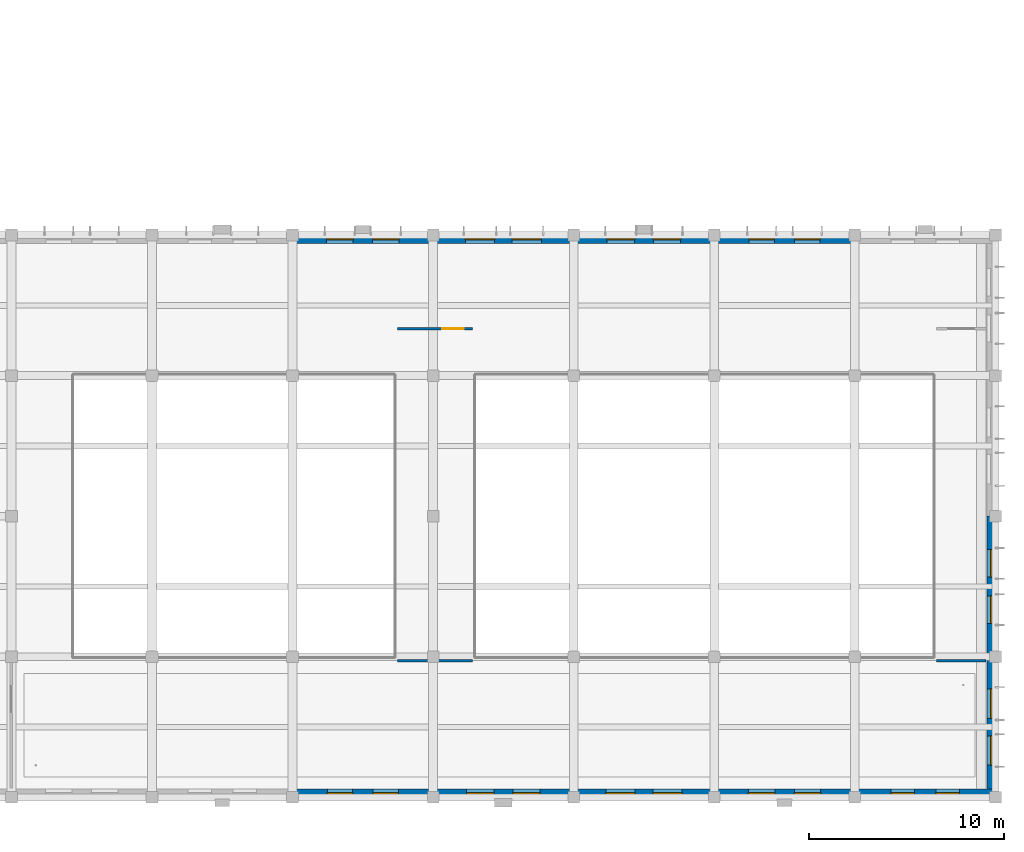
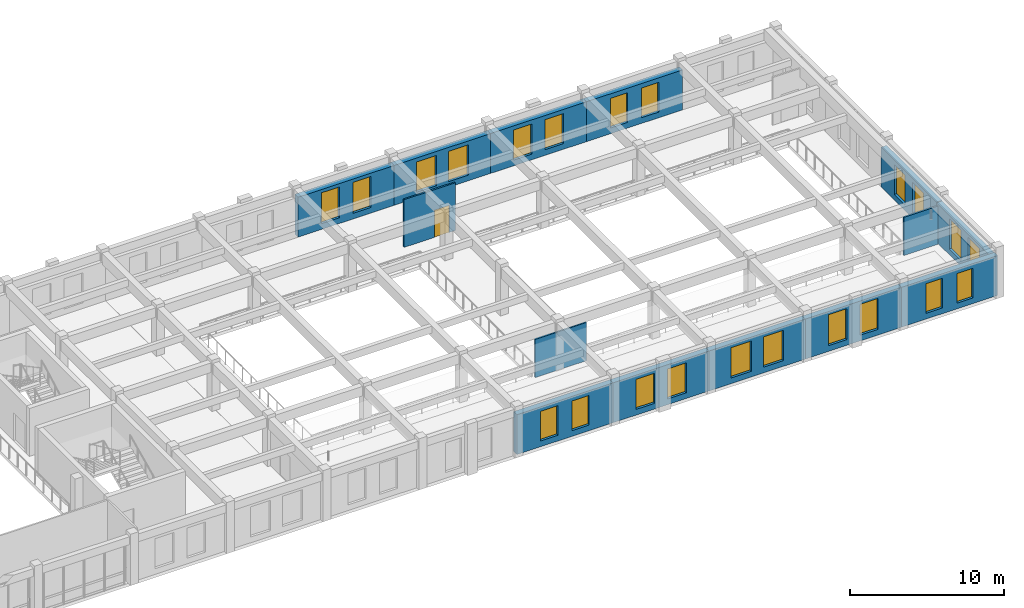
# One storey, part 48 of 88: 22 windows, 14 walls, 1 door, 23 openings.
"""IFC4 building model written with IfcOpenShell, lengths in metres."""

from ifc_helpers import new_model, si_unit, direction, frame, frame_2d, origin, place, context, subcontext, project, spatial, rectangle, extrude, material, layer, layer_set, type_object, element, fill, save


model = new_model("IFC4")

# Units and contexts
model_context = context("Model", 3, precision=1e-05, world=origin(), true_north=direction((0.0, 1.0)))
body_context = subcontext(model_context, "Body", "Model", "MODEL_VIEW")
ifc_project = project(units=[si_unit("LENGTHUNIT", "METRE"), si_unit("AREAUNIT", "SQUARE_METRE"), si_unit("VOLUMEUNIT", "CUBIC_METRE"), si_unit("PLANEANGLEUNIT", "RADIAN"), si_unit("MASSUNIT", "GRAM", prefix="KILO")], contexts=[model_context])

# Site, building, storey
site_placement = place(None, origin())
site = spatial("IfcSite", under=ifc_project, at=site_placement, CompositionType="ELEMENT")
building_placement = place(site_placement, origin())
building = spatial("IfcBuilding", under=site, at=building_placement, Name="Alvorim Cloister Faculty of Sciences", CompositionType="ELEMENT")
storey_placement = place(building_placement, frame((0.0, 0.0, 4.5)))
storey = spatial("IfcBuildingStorey", under=building, at=storey_placement, Name="L01", CompositionType="ELEMENT", Elevation=4.5)

# Wall, openings, windows
ifc_material_1 = material(Name="Maua Grey Granite Stone", Category="masonry")
ifc_layer_1 = layer(ifc_material_1, 0.419921875)
ifc_layer_set_1 = layer_set([ifc_layer_1], Name="Maua Grey Granite Stone")
wall_type_1 = type_object("IfcWallType", Name="WL-EXT-GRN-420", PredefinedType="SOLIDWALL", material=ifc_layer_set_1)
wall_1_placement = place(storey_placement, frame((129.60009765625, 28.590087890625, 0.0), z_axis=(0.0, 0.0, 1.0), x_axis=(1.0, 0.0, 0.0)))
wall_1 = element("IfcWall", 1, at=wall_1_placement, inside=storey, type_object=wall_type_1, Name="L01 Exterior Wall WL-0134", PredefinedType="SOLIDWALL", context=body_context, shape_type="SweptSolid", body=[
    extrude(rectangle(XDim=7.199951171875, YDim=0.419921875, at=frame_2d((3.60009765625, 0.0))), origin(), (0.0, 0.0, 1.0), 3.159912109375),
])
opening_1_placement = place(wall_1_placement, frame((1.75, 0.0, 0.449951171875)))
opening_1 = element("IfcOpeningElement", 2, at=opening_1_placement, cuts=wall_1, Name="Opening W-18", PredefinedType="OPENING", context=body_context, shape_type="SweptSolid", body=[
    extrude(rectangle(XDim=1.35009765625, YDim=2.449951171875, at=frame_2d((0.675048828125, 1.22509765625))), frame((0.0, 0.221923828125, 0.0), z_axis=(0.0, -1.0, 0.0), x_axis=(1.0, 0.0, 0.0)), (0.0, 0.0, 1.0), 0.44384765625),
])
opening_2_placement = place(wall_1_placement, frame((4.10009765625, 0.0, 0.449951171875)))
opening_2 = element("IfcOpeningElement", 3, at=opening_2_placement, cuts=wall_1, Name="Opening W-18", PredefinedType="OPENING", context=body_context, shape_type="SweptSolid", body=[
    extrude(rectangle(XDim=1.35009765625, YDim=2.449951171875, at=frame_2d((0.675048828125, 1.22509765625))), frame((0.0, 0.221923828125, 0.0), z_axis=(0.0, -1.0, 0.0), x_axis=(1.0, 0.0, 0.0)), (0.0, 0.0, 1.0), 0.44384765625),
])
ifc_material_2 = material(Name="Double Low-E Laminated Glass", Category="glass")
window_type_1 = type_object("IfcWindowType", Name="WN-LAB-1350x2450", PartitioningType="SINGLE_PANEL", PredefinedType="WINDOW", material=ifc_material_2)
window_1_placement = place(opening_1_placement, origin())
window_1 = element("IfcWindow", 4, at=window_1_placement, inside=storey, type_object=window_type_1, Name="L01 Gothic Lancet Window WN-0184", OverallHeight=2.449951171875, OverallWidth=1.35009765625, PartitioningType="SINGLE_PANEL", PredefinedType="WINDOW", context=body_context, shape_type="SweptSolid", body=[
    extrude(rectangle(XDim=1.35009765625, YDim=2.449951171875, at=frame_2d((0.675048828125, 1.22509765625))), frame((0.0, 0.030029296875, 0.0), z_axis=(0.0, -1.0, 0.0), x_axis=(1.0, 0.0, 0.0)), (0.0, 0.0, 1.0), 0.06005859375),
])
fill(opening_1, window_1)
window_2_placement = place(opening_2_placement, origin())
window_2 = element("IfcWindow", 5, at=window_2_placement, inside=storey, type_object=window_type_1, Name="L01 Gothic Lancet Window WN-0185", OverallHeight=2.449951171875, OverallWidth=1.35009765625, PartitioningType="SINGLE_PANEL", PredefinedType="WINDOW", context=body_context, shape_type="SweptSolid", body=[
    extrude(rectangle(XDim=1.35009765625, YDim=2.449951171875, at=frame_2d((0.675048828125, 1.22509765625))), frame((0.0, 0.030029296875, 0.0), z_axis=(0.0, -1.0, 0.0), x_axis=(1.0, 0.0, 0.0)), (0.0, 0.0, 1.0), 0.06005859375),
])
fill(opening_2, window_2)

wall_2_placement = place(storey_placement, frame((136.800048828125, 28.590087890625, 0.0), z_axis=(0.0, 0.0, 1.0), x_axis=(1.0, 0.0, 0.0)))
wall_2 = element("IfcWall", 6, at=wall_2_placement, inside=storey, type_object=wall_type_1, Name="L01 Exterior Wall WL-0135", PredefinedType="SOLIDWALL", context=body_context, shape_type="SweptSolid", body=[
    extrude(rectangle(XDim=7.199951171875, YDim=0.419921875, at=frame_2d((3.60009765625, 0.0))), origin(), (0.0, 0.0, 1.0), 3.159912109375),
])
opening_3_placement = place(wall_2_placement, frame((1.64990234375, 0.0, 0.449951171875)))
opening_3 = element("IfcOpeningElement", 7, at=opening_3_placement, cuts=wall_2, Name="Opening W-19", PredefinedType="OPENING", context=body_context, shape_type="SweptSolid", body=[
    extrude(rectangle(XDim=1.5, YDim=2.39990234375, at=frame_2d((0.75, 1.199951171875))), frame((0.0, 0.221923828125, 0.0), z_axis=(0.0, -1.0, 0.0), x_axis=(1.0, 0.0, 0.0)), (0.0, 0.0, 1.0), 0.44384765625),
])
opening_4_placement = place(wall_2_placement, frame((4.050048828125, 0.0, 0.449951171875)))
opening_4 = element("IfcOpeningElement", 8, at=opening_4_placement, cuts=wall_2, Name="Opening W-19", PredefinedType="OPENING", context=body_context, shape_type="SweptSolid", body=[
    extrude(rectangle(XDim=1.5, YDim=2.39990234375, at=frame_2d((0.75, 1.199951171875))), frame((0.0, 0.221923828125, 0.0), z_axis=(0.0, -1.0, 0.0), x_axis=(1.0, 0.0, 0.0)), (0.0, 0.0, 1.0), 0.44384765625),
])
window_type_2 = type_object("IfcWindowType", Name="WN-OFF-1500x2400", PartitioningType="SINGLE_PANEL", PredefinedType="WINDOW", material=ifc_material_2)
window_3_placement = place(opening_3_placement, origin())
window_3 = element("IfcWindow", 9, at=window_3_placement, inside=storey, type_object=window_type_2, Name="L01 Gothic Lancet Window WN-0186", OverallHeight=2.39990234375, OverallWidth=1.5, PartitioningType="SINGLE_PANEL", PredefinedType="WINDOW", context=body_context, shape_type="SweptSolid", body=[
    extrude(rectangle(XDim=1.5, YDim=2.39990234375, at=frame_2d((0.75, 1.199951171875))), frame((0.0, 0.030029296875, 0.0), z_axis=(0.0, -1.0, 0.0), x_axis=(1.0, 0.0, 0.0)), (0.0, 0.0, 1.0), 0.06005859375),
])
fill(opening_3, window_3)
window_4_placement = place(opening_4_placement, origin())
window_4 = element("IfcWindow", 10, at=window_4_placement, inside=storey, type_object=window_type_2, Name="L01 Gothic Lancet Window WN-0187", OverallHeight=2.39990234375, OverallWidth=1.5, PartitioningType="SINGLE_PANEL", PredefinedType="WINDOW", context=body_context, shape_type="SweptSolid", body=[
    extrude(rectangle(XDim=1.5, YDim=2.39990234375, at=frame_2d((0.75, 1.199951171875))), frame((0.0, 0.030029296875, 0.0), z_axis=(0.0, -1.0, 0.0), x_axis=(1.0, 0.0, 0.0)), (0.0, 0.0, 1.0), 0.06005859375),
])
fill(opening_4, window_4)

wall_3_placement = place(storey_placement, frame((144.0, 28.590087890625, 0.0), z_axis=(0.0, 0.0, 1.0), x_axis=(1.0, 0.0, 0.0)))
wall_3 = element("IfcWall", 11, at=wall_3_placement, inside=storey, type_object=wall_type_1, Name="L01 Exterior Wall WL-0136", PredefinedType="SOLIDWALL", context=body_context, shape_type="SweptSolid", body=[
    extrude(rectangle(XDim=7.199951171875, YDim=0.419921875, at=frame_2d((3.60009765625, 0.0))), origin(), (0.0, 0.0, 1.0), 3.159912109375),
])
opening_5_placement = place(wall_3_placement, frame((1.716796875, 0.0, 0.449951171875)))
opening_5 = element("IfcOpeningElement", 12, at=opening_5_placement, cuts=wall_3, Name="Opening W-20", PredefinedType="OPENING", context=body_context, shape_type="SweptSolid", body=[
    extrude(rectangle(XDim=1.39990234375, YDim=2.3798828125, at=frame_2d((0.699951171875, 1.18994140625))), frame((0.0, 0.221923828125, 0.0), z_axis=(0.0, -1.0, 0.0), x_axis=(1.0, 0.0, 0.0)), (0.0, 0.0, 1.0), 0.44384765625),
])
opening_6_placement = place(wall_3_placement, frame((4.083251953125, 0.0, 0.449951171875)))
opening_6 = element("IfcOpeningElement", 13, at=opening_6_placement, cuts=wall_3, Name="Opening W-20", PredefinedType="OPENING", context=body_context, shape_type="SweptSolid", body=[
    extrude(rectangle(XDim=1.39990234375, YDim=2.3798828125, at=frame_2d((0.699951171875, 1.18994140625))), frame((0.0, 0.221923828125, 0.0), z_axis=(0.0, -1.0, 0.0), x_axis=(1.0, 0.0, 0.0)), (0.0, 0.0, 1.0), 0.44384765625),
])
window_type_3 = type_object("IfcWindowType", Name="WN-OFF-1400x2380", PartitioningType="SINGLE_PANEL", PredefinedType="WINDOW", material=ifc_material_2)
window_5_placement = place(opening_5_placement, origin())
window_5 = element("IfcWindow", 14, at=window_5_placement, inside=storey, type_object=window_type_3, Name="L01 Gothic Lancet Window WN-0188", OverallHeight=2.3798828125, OverallWidth=1.39990234375, PartitioningType="SINGLE_PANEL", PredefinedType="WINDOW", context=body_context, shape_type="SweptSolid", body=[
    extrude(rectangle(XDim=1.39990234375, YDim=2.3798828125, at=frame_2d((0.699951171875, 1.18994140625))), frame((0.0, 0.030029296875, 0.0), z_axis=(0.0, -1.0, 0.0), x_axis=(1.0, 0.0, 0.0)), (0.0, 0.0, 1.0), 0.06005859375),
])
fill(opening_5, window_5)
window_6_placement = place(opening_6_placement, origin())
window_6 = element("IfcWindow", 15, at=window_6_placement, inside=storey, type_object=window_type_3, Name="L01 Gothic Lancet Window WN-0189", OverallHeight=2.3798828125, OverallWidth=1.39990234375, PartitioningType="SINGLE_PANEL", PredefinedType="WINDOW", context=body_context, shape_type="SweptSolid", body=[
    extrude(rectangle(XDim=1.39990234375, YDim=2.3798828125, at=frame_2d((0.699951171875, 1.18994140625))), frame((0.0, 0.030029296875, 0.0), z_axis=(0.0, -1.0, 0.0), x_axis=(1.0, 0.0, 0.0)), (0.0, 0.0, 1.0), 0.06005859375),
])
fill(opening_6, window_6)

wall_4_placement = place(storey_placement, frame((151.199951171875, 28.590087890625, 0.0), z_axis=(0.0, 0.0, 1.0), x_axis=(1.0, 0.0, 0.0)))
wall_4 = element("IfcWall", 16, at=wall_4_placement, inside=storey, type_object=wall_type_1, Name="L01 Exterior Wall WL-0137", PredefinedType="SOLIDWALL", context=body_context, shape_type="SweptSolid", body=[
    extrude(rectangle(XDim=7.199951171875, YDim=0.419921875, at=frame_2d((3.60009765625, 0.0))), origin(), (0.0, 0.0, 1.0), 3.159912109375),
])
opening_7_placement = place(wall_4_placement, frame((1.783203125, 0.0, 0.449951171875)))
opening_7 = element("IfcOpeningElement", 17, at=opening_7_placement, cuts=wall_4, Name="Opening W-21", PredefinedType="OPENING", context=body_context, shape_type="SweptSolid", body=[
    extrude(rectangle(XDim=1.300048828125, YDim=2.35009765625, at=frame_2d((0.64990234375, 1.175048828125))), frame((0.0, 0.221923828125, 0.0), z_axis=(0.0, -1.0, 0.0), x_axis=(1.0, 0.0, 0.0)), (0.0, 0.0, 1.0), 0.44384765625),
])
opening_8_placement = place(wall_4_placement, frame((4.11669921875, 0.0, 0.449951171875)))
opening_8 = element("IfcOpeningElement", 18, at=opening_8_placement, cuts=wall_4, Name="Opening W-21", PredefinedType="OPENING", context=body_context, shape_type="SweptSolid", body=[
    extrude(rectangle(XDim=1.300048828125, YDim=2.35009765625, at=frame_2d((0.64990234375, 1.175048828125))), frame((0.0, 0.221923828125, 0.0), z_axis=(0.0, -1.0, 0.0), x_axis=(1.0, 0.0, 0.0)), (0.0, 0.0, 1.0), 0.44384765625),
])
window_type_4 = type_object("IfcWindowType", Name="WN-OFF-1300x2350", PartitioningType="SINGLE_PANEL", PredefinedType="WINDOW", material=ifc_material_2)
window_7_placement = place(opening_7_placement, origin())
window_7 = element("IfcWindow", 19, at=window_7_placement, inside=storey, type_object=window_type_4, Name="L01 Gothic Lancet Window WN-0190", OverallHeight=2.35009765625, OverallWidth=1.300048828125, PartitioningType="SINGLE_PANEL", PredefinedType="WINDOW", context=body_context, shape_type="SweptSolid", body=[
    extrude(rectangle(XDim=1.300048828125, YDim=2.35009765625, at=frame_2d((0.64990234375, 1.175048828125))), frame((0.0, 0.030029296875, 0.0), z_axis=(0.0, -1.0, 0.0), x_axis=(1.0, 0.0, 0.0)), (0.0, 0.0, 1.0), 0.06005859375),
])
fill(opening_7, window_7)
window_8_placement = place(opening_8_placement, origin())
window_8 = element("IfcWindow", 20, at=window_8_placement, inside=storey, type_object=window_type_4, Name="L01 Gothic Lancet Window WN-0191", OverallHeight=2.35009765625, OverallWidth=1.300048828125, PartitioningType="SINGLE_PANEL", PredefinedType="WINDOW", context=body_context, shape_type="SweptSolid", body=[
    extrude(rectangle(XDim=1.300048828125, YDim=2.35009765625, at=frame_2d((0.64990234375, 1.175048828125))), frame((0.0, 0.030029296875, 0.0), z_axis=(0.0, -1.0, 0.0), x_axis=(1.0, 0.0, 0.0)), (0.0, 0.0, 1.0), 0.06005859375),
])
fill(opening_8, window_8)

wall_5_placement = place(storey_placement, frame((165.389892578125, 7.199951171875, 0.0), z_axis=(0.0, 0.0, 1.0), x_axis=(0.0, 1.0, 0.0)))
wall_5 = element("IfcWall", 21, at=wall_5_placement, inside=storey, type_object=wall_type_1, Name="L01 Exterior Wall WL-0141", PredefinedType="SOLIDWALL", context=body_context, shape_type="SweptSolid", body=[
    extrude(rectangle(XDim=7.199951171875, YDim=0.419921875, at=frame_2d((3.60009765625, 0.0))), origin(), (0.0, 0.0, 1.0), 3.159912109375),
])
opening_9_placement = place(wall_5_placement, frame((1.716796875, 0.0, 0.449951171875)))
opening_9 = element("IfcOpeningElement", 22, at=opening_9_placement, cuts=wall_5, Name="Opening W-20", PredefinedType="OPENING", context=body_context, shape_type="SweptSolid", body=[
    extrude(rectangle(XDim=1.39990234375, YDim=2.3798828125, at=frame_2d((0.699951171875, 1.18994140625))), frame((0.0, 0.221923828125, 0.0), z_axis=(0.0, -1.0, 0.0), x_axis=(1.0, 0.0, 0.0)), (0.0, 0.0, 1.0), 0.44384765625),
])
opening_10_placement = place(wall_5_placement, frame((4.083251953125, 0.0, 0.449951171875)))
opening_10 = element("IfcOpeningElement", 23, at=opening_10_placement, cuts=wall_5, Name="Opening W-20", PredefinedType="OPENING", context=body_context, shape_type="SweptSolid", body=[
    extrude(rectangle(XDim=1.39990234375, YDim=2.3798828125, at=frame_2d((0.699951171875, 1.18994140625))), frame((0.0, 0.221923828125, 0.0), z_axis=(0.0, -1.0, 0.0), x_axis=(1.0, 0.0, 0.0)), (0.0, 0.0, 1.0), 0.44384765625),
])
window_9_placement = place(opening_9_placement, origin())
window_9 = element("IfcWindow", 24, at=window_9_placement, inside=storey, type_object=window_type_3, Name="L01 Gothic Lancet Window WN-0198", OverallHeight=2.3798828125, OverallWidth=1.39990234375, PartitioningType="SINGLE_PANEL", PredefinedType="WINDOW", context=body_context, shape_type="SweptSolid", body=[
    extrude(rectangle(XDim=1.39990234375, YDim=2.3798828125, at=frame_2d((0.699951171875, 1.18994140625))), frame((0.0, 0.030029296875, 0.0), z_axis=(0.0, -1.0, 0.0), x_axis=(1.0, 0.0, 0.0)), (0.0, 0.0, 1.0), 0.06005859375),
])
fill(opening_9, window_9)
window_10_placement = place(opening_10_placement, origin())
window_10 = element("IfcWindow", 25, at=window_10_placement, inside=storey, type_object=window_type_3, Name="L01 Gothic Lancet Window WN-0199", OverallHeight=2.3798828125, OverallWidth=1.39990234375, PartitioningType="SINGLE_PANEL", PredefinedType="WINDOW", context=body_context, shape_type="SweptSolid", body=[
    extrude(rectangle(XDim=1.39990234375, YDim=2.3798828125, at=frame_2d((0.699951171875, 1.18994140625))), frame((0.0, 0.030029296875, 0.0), z_axis=(0.0, -1.0, 0.0), x_axis=(1.0, 0.0, 0.0)), (0.0, 0.0, 1.0), 0.06005859375),
])
fill(opening_10, window_10)

wall_6_placement = place(storey_placement, frame((165.389892578125, 0.0, 0.0), z_axis=(0.0, 0.0, 1.0), x_axis=(0.0, 1.0, 0.0)))
wall_6 = element("IfcWall", 26, at=wall_6_placement, inside=storey, type_object=wall_type_1, Name="L01 Exterior Wall WL-0142", PredefinedType="SOLIDWALL", context=body_context, shape_type="SweptSolid", body=[
    extrude(rectangle(XDim=7.199951171875, YDim=0.419921875, at=frame_2d((3.60009765625, 0.0))), origin(), (0.0, 0.0, 1.0), 3.114013671875),
])
opening_11_placement = place(wall_6_placement, frame((1.64990234375, 0.0, 0.449951171875)))
opening_11 = element("IfcOpeningElement", 27, at=opening_11_placement, cuts=wall_6, Name="Opening W-19", PredefinedType="OPENING", context=body_context, shape_type="SweptSolid", body=[
    extrude(rectangle(XDim=1.5, YDim=2.39990234375, at=frame_2d((0.75, 1.199951171875))), frame((0.0, 0.221923828125, 0.0), z_axis=(0.0, -1.0, 0.0), x_axis=(1.0, 0.0, 0.0)), (0.0, 0.0, 1.0), 0.44384765625),
])
opening_12_placement = place(wall_6_placement, frame((4.050048828125, 0.0, 0.449951171875)))
opening_12 = element("IfcOpeningElement", 28, at=opening_12_placement, cuts=wall_6, Name="Opening W-19", PredefinedType="OPENING", context=body_context, shape_type="SweptSolid", body=[
    extrude(rectangle(XDim=1.5, YDim=2.39990234375, at=frame_2d((0.75, 1.199951171875))), frame((0.0, 0.221923828125, 0.0), z_axis=(0.0, -1.0, 0.0), x_axis=(1.0, 0.0, 0.0)), (0.0, 0.0, 1.0), 0.44384765625),
])
window_11_placement = place(opening_11_placement, origin())
window_11 = element("IfcWindow", 29, at=window_11_placement, inside=storey, type_object=window_type_2, Name="L01 Gothic Lancet Window WN-0200", OverallHeight=2.39990234375, OverallWidth=1.5, PartitioningType="SINGLE_PANEL", PredefinedType="WINDOW", context=body_context, shape_type="SweptSolid", body=[
    extrude(rectangle(XDim=1.5, YDim=2.39990234375, at=frame_2d((0.75, 1.199951171875))), frame((0.0, 0.030029296875, 0.0), z_axis=(0.0, -1.0, 0.0), x_axis=(1.0, 0.0, 0.0)), (0.0, 0.0, 1.0), 0.06005859375),
])
fill(opening_11, window_11)
window_12_placement = place(opening_12_placement, origin())
window_12 = element("IfcWindow", 30, at=window_12_placement, inside=storey, type_object=window_type_2, Name="L01 Gothic Lancet Window WN-0201", OverallHeight=2.39990234375, OverallWidth=1.5, PartitioningType="SINGLE_PANEL", PredefinedType="WINDOW", context=body_context, shape_type="SweptSolid", body=[
    extrude(rectangle(XDim=1.5, YDim=2.39990234375, at=frame_2d((0.75, 1.199951171875))), frame((0.0, 0.030029296875, 0.0), z_axis=(0.0, -1.0, 0.0), x_axis=(1.0, 0.0, 0.0)), (0.0, 0.0, 1.0), 0.06005859375),
])
fill(opening_12, window_12)

wall_7_placement = place(storey_placement, frame((158.39990234375, 0.2099609375, 0.0), z_axis=(0.0, 0.0, 1.0), x_axis=(1.0, 0.0, 0.0)))
wall_7 = element("IfcWall", 31, at=wall_7_placement, inside=storey, type_object=wall_type_1, Name="L01 Exterior Wall WL-0143", PredefinedType="SOLIDWALL", context=body_context, shape_type="SweptSolid", body=[
    extrude(rectangle(XDim=7.2001953125, YDim=0.419921875, at=frame_2d((3.60009765625, 0.0))), origin(), (0.0, 0.0, 1.0), 3.159912109375),
])
opening_13_placement = place(wall_7_placement, frame((1.85009765625, 0.0, 0.449951171875)))
opening_13 = element("IfcOpeningElement", 32, at=opening_13_placement, cuts=wall_7, Name="Opening W-22", PredefinedType="OPENING", context=body_context, shape_type="SweptSolid", body=[
    extrude(rectangle(XDim=1.199951171875, YDim=2.35009765625, at=frame_2d((0.60009765625, 1.175048828125))), frame((0.0, 0.221923828125, 0.0), z_axis=(0.0, -1.0, 0.0), x_axis=(1.0, 0.0, 0.0)), (0.0, 0.0, 1.0), 0.44384765625),
])
opening_14_placement = place(wall_7_placement, frame((4.14990234375, 0.0, 0.449951171875)))
opening_14 = element("IfcOpeningElement", 33, at=opening_14_placement, cuts=wall_7, Name="Opening W-22", PredefinedType="OPENING", context=body_context, shape_type="SweptSolid", body=[
    extrude(rectangle(XDim=1.199951171875, YDim=2.35009765625, at=frame_2d((0.60009765625, 1.175048828125))), frame((0.0, 0.221923828125, 0.0), z_axis=(0.0, -1.0, 0.0), x_axis=(1.0, 0.0, 0.0)), (0.0, 0.0, 1.0), 0.44384765625),
])
window_type_5 = type_object("IfcWindowType", Name="WN-OFF-1200x2350", PartitioningType="SINGLE_PANEL", PredefinedType="WINDOW", material=ifc_material_2)
window_13_placement = place(opening_13_placement, origin())
window_13 = element("IfcWindow", 34, at=window_13_placement, inside=storey, type_object=window_type_5, Name="L01 Gothic Lancet Window WN-0202", OverallHeight=2.35009765625, OverallWidth=1.199951171875, PartitioningType="SINGLE_PANEL", PredefinedType="WINDOW", context=body_context, shape_type="SweptSolid", body=[
    extrude(rectangle(XDim=1.199951171875, YDim=2.35009765625, at=frame_2d((0.60009765625, 1.175048828125))), frame((0.0, 0.030029296875, 0.0), z_axis=(0.0, -1.0, 0.0), x_axis=(1.0, 0.0, 0.0)), (0.0, 0.0, 1.0), 0.06005859375),
])
fill(opening_13, window_13)
window_14_placement = place(opening_14_placement, origin())
window_14 = element("IfcWindow", 35, at=window_14_placement, inside=storey, type_object=window_type_5, Name="L01 Gothic Lancet Window WN-0203", OverallHeight=2.35009765625, OverallWidth=1.199951171875, PartitioningType="SINGLE_PANEL", PredefinedType="WINDOW", context=body_context, shape_type="SweptSolid", body=[
    extrude(rectangle(XDim=1.199951171875, YDim=2.35009765625, at=frame_2d((0.60009765625, 1.175048828125))), frame((0.0, 0.030029296875, 0.0), z_axis=(0.0, -1.0, 0.0), x_axis=(1.0, 0.0, 0.0)), (0.0, 0.0, 1.0), 0.06005859375),
])
fill(opening_14, window_14)

wall_8_placement = place(storey_placement, frame((151.199951171875, 0.2099609375, 0.0), z_axis=(0.0, 0.0, 1.0), x_axis=(1.0, 0.0, 0.0)))
wall_8 = element("IfcWall", 36, at=wall_8_placement, inside=storey, type_object=wall_type_1, Name="L01 Exterior Wall WL-0144", PredefinedType="SOLIDWALL", context=body_context, shape_type="SweptSolid", body=[
    extrude(rectangle(XDim=7.199951171875, YDim=0.419921875, at=frame_2d((3.60009765625, 0.0))), origin(), (0.0, 0.0, 1.0), 3.159912109375),
])
opening_15_placement = place(wall_8_placement, frame((1.75, 0.0, 0.449951171875)))
opening_15 = element("IfcOpeningElement", 37, at=opening_15_placement, cuts=wall_8, Name="Opening W-18", PredefinedType="OPENING", context=body_context, shape_type="SweptSolid", body=[
    extrude(rectangle(XDim=1.35009765625, YDim=2.449951171875, at=frame_2d((0.675048828125, 1.22509765625))), frame((0.0, 0.221923828125, 0.0), z_axis=(0.0, -1.0, 0.0), x_axis=(1.0, 0.0, 0.0)), (0.0, 0.0, 1.0), 0.44384765625),
])
opening_16_placement = place(wall_8_placement, frame((4.10009765625, 0.0, 0.449951171875)))
opening_16 = element("IfcOpeningElement", 38, at=opening_16_placement, cuts=wall_8, Name="Opening W-18", PredefinedType="OPENING", context=body_context, shape_type="SweptSolid", body=[
    extrude(rectangle(XDim=1.35009765625, YDim=2.449951171875, at=frame_2d((0.675048828125, 1.22509765625))), frame((0.0, 0.221923828125, 0.0), z_axis=(0.0, -1.0, 0.0), x_axis=(1.0, 0.0, 0.0)), (0.0, 0.0, 1.0), 0.44384765625),
])
window_15_placement = place(opening_15_placement, origin())
window_15 = element("IfcWindow", 39, at=window_15_placement, inside=storey, type_object=window_type_1, Name="L01 Gothic Lancet Window WN-0204", OverallHeight=2.449951171875, OverallWidth=1.35009765625, PartitioningType="SINGLE_PANEL", PredefinedType="WINDOW", context=body_context, shape_type="SweptSolid", body=[
    extrude(rectangle(XDim=1.35009765625, YDim=2.449951171875, at=frame_2d((0.675048828125, 1.22509765625))), frame((0.0, 0.030029296875, 0.0), z_axis=(0.0, -1.0, 0.0), x_axis=(1.0, 0.0, 0.0)), (0.0, 0.0, 1.0), 0.06005859375),
])
fill(opening_15, window_15)
window_16_placement = place(opening_16_placement, origin())
window_16 = element("IfcWindow", 40, at=window_16_placement, inside=storey, type_object=window_type_1, Name="L01 Gothic Lancet Window WN-0205", OverallHeight=2.449951171875, OverallWidth=1.35009765625, PartitioningType="SINGLE_PANEL", PredefinedType="WINDOW", context=body_context, shape_type="SweptSolid", body=[
    extrude(rectangle(XDim=1.35009765625, YDim=2.449951171875, at=frame_2d((0.675048828125, 1.22509765625))), frame((0.0, 0.030029296875, 0.0), z_axis=(0.0, -1.0, 0.0), x_axis=(1.0, 0.0, 0.0)), (0.0, 0.0, 1.0), 0.06005859375),
])
fill(opening_16, window_16)

wall_9_placement = place(storey_placement, frame((144.0, 0.2099609375, 0.0), z_axis=(0.0, 0.0, 1.0), x_axis=(1.0, 0.0, 0.0)))
wall_9 = element("IfcWall", 41, at=wall_9_placement, inside=storey, type_object=wall_type_1, Name="L01 Exterior Wall WL-0145", PredefinedType="SOLIDWALL", context=body_context, shape_type="SweptSolid", body=[
    extrude(rectangle(XDim=7.199951171875, YDim=0.419921875, at=frame_2d((3.60009765625, 0.0))), origin(), (0.0, 0.0, 1.0), 3.159912109375),
])
opening_17_placement = place(wall_9_placement, frame((1.64990234375, 0.0, 0.449951171875)))
opening_17 = element("IfcOpeningElement", 42, at=opening_17_placement, cuts=wall_9, Name="Opening W-19", PredefinedType="OPENING", context=body_context, shape_type="SweptSolid", body=[
    extrude(rectangle(XDim=1.5, YDim=2.39990234375, at=frame_2d((0.75, 1.199951171875))), frame((0.0, 0.221923828125, 0.0), z_axis=(0.0, -1.0, 0.0), x_axis=(1.0, 0.0, 0.0)), (0.0, 0.0, 1.0), 0.44384765625),
])
opening_18_placement = place(wall_9_placement, frame((4.050048828125, 0.0, 0.449951171875)))
opening_18 = element("IfcOpeningElement", 43, at=opening_18_placement, cuts=wall_9, Name="Opening W-19", PredefinedType="OPENING", context=body_context, shape_type="SweptSolid", body=[
    extrude(rectangle(XDim=1.5, YDim=2.39990234375, at=frame_2d((0.75, 1.199951171875))), frame((0.0, 0.221923828125, 0.0), z_axis=(0.0, -1.0, 0.0), x_axis=(1.0, 0.0, 0.0)), (0.0, 0.0, 1.0), 0.44384765625),
])
window_17_placement = place(opening_17_placement, origin())
window_17 = element("IfcWindow", 44, at=window_17_placement, inside=storey, type_object=window_type_2, Name="L01 Gothic Lancet Window WN-0206", OverallHeight=2.39990234375, OverallWidth=1.5, PartitioningType="SINGLE_PANEL", PredefinedType="WINDOW", context=body_context, shape_type="SweptSolid", body=[
    extrude(rectangle(XDim=1.5, YDim=2.39990234375, at=frame_2d((0.75, 1.199951171875))), frame((0.0, 0.030029296875, 0.0), z_axis=(0.0, -1.0, 0.0), x_axis=(1.0, 0.0, 0.0)), (0.0, 0.0, 1.0), 0.06005859375),
])
fill(opening_17, window_17)
window_18_placement = place(opening_18_placement, origin())
window_18 = element("IfcWindow", 45, at=window_18_placement, inside=storey, type_object=window_type_2, Name="L01 Gothic Lancet Window WN-0207", OverallHeight=2.39990234375, OverallWidth=1.5, PartitioningType="SINGLE_PANEL", PredefinedType="WINDOW", context=body_context, shape_type="SweptSolid", body=[
    extrude(rectangle(XDim=1.5, YDim=2.39990234375, at=frame_2d((0.75, 1.199951171875))), frame((0.0, 0.030029296875, 0.0), z_axis=(0.0, -1.0, 0.0), x_axis=(1.0, 0.0, 0.0)), (0.0, 0.0, 1.0), 0.06005859375),
])
fill(opening_18, window_18)

wall_10_placement = place(storey_placement, frame((136.800048828125, 0.2099609375, 0.0), z_axis=(0.0, 0.0, 1.0), x_axis=(1.0, 0.0, 0.0)))
wall_10 = element("IfcWall", 46, at=wall_10_placement, inside=storey, type_object=wall_type_1, Name="L01 Exterior Wall WL-0146", PredefinedType="SOLIDWALL", context=body_context, shape_type="SweptSolid", body=[
    extrude(rectangle(XDim=7.199951171875, YDim=0.419921875, at=frame_2d((3.60009765625, 0.0))), origin(), (0.0, 0.0, 1.0), 3.159912109375),
])
opening_19_placement = place(wall_10_placement, frame((1.716796875, 0.0, 0.449951171875)))
opening_19 = element("IfcOpeningElement", 47, at=opening_19_placement, cuts=wall_10, Name="Opening W-20", PredefinedType="OPENING", context=body_context, shape_type="SweptSolid", body=[
    extrude(rectangle(XDim=1.39990234375, YDim=2.3798828125, at=frame_2d((0.699951171875, 1.18994140625))), frame((0.0, 0.221923828125, 0.0), z_axis=(0.0, -1.0, 0.0), x_axis=(1.0, 0.0, 0.0)), (0.0, 0.0, 1.0), 0.44384765625),
])
opening_20_placement = place(wall_10_placement, frame((4.083251953125, 0.0, 0.449951171875)))
opening_20 = element("IfcOpeningElement", 48, at=opening_20_placement, cuts=wall_10, Name="Opening W-20", PredefinedType="OPENING", context=body_context, shape_type="SweptSolid", body=[
    extrude(rectangle(XDim=1.39990234375, YDim=2.3798828125, at=frame_2d((0.699951171875, 1.18994140625))), frame((0.0, 0.221923828125, 0.0), z_axis=(0.0, -1.0, 0.0), x_axis=(1.0, 0.0, 0.0)), (0.0, 0.0, 1.0), 0.44384765625),
])
window_19_placement = place(opening_19_placement, origin())
window_19 = element("IfcWindow", 49, at=window_19_placement, inside=storey, type_object=window_type_3, Name="L01 Gothic Lancet Window WN-0208", OverallHeight=2.3798828125, OverallWidth=1.39990234375, PartitioningType="SINGLE_PANEL", PredefinedType="WINDOW", context=body_context, shape_type="SweptSolid", body=[
    extrude(rectangle(XDim=1.39990234375, YDim=2.3798828125, at=frame_2d((0.699951171875, 1.18994140625))), frame((0.0, 0.030029296875, 0.0), z_axis=(0.0, -1.0, 0.0), x_axis=(1.0, 0.0, 0.0)), (0.0, 0.0, 1.0), 0.06005859375),
])
fill(opening_19, window_19)
window_20_placement = place(opening_20_placement, origin())
window_20 = element("IfcWindow", 50, at=window_20_placement, inside=storey, type_object=window_type_3, Name="L01 Gothic Lancet Window WN-0209", OverallHeight=2.3798828125, OverallWidth=1.39990234375, PartitioningType="SINGLE_PANEL", PredefinedType="WINDOW", context=body_context, shape_type="SweptSolid", body=[
    extrude(rectangle(XDim=1.39990234375, YDim=2.3798828125, at=frame_2d((0.699951171875, 1.18994140625))), frame((0.0, 0.030029296875, 0.0), z_axis=(0.0, -1.0, 0.0), x_axis=(1.0, 0.0, 0.0)), (0.0, 0.0, 1.0), 0.06005859375),
])
fill(opening_20, window_20)

wall_11_placement = place(storey_placement, frame((129.60009765625, 0.2099609375, 0.0), z_axis=(0.0, 0.0, 1.0), x_axis=(1.0, 0.0, 0.0)))
wall_11 = element("IfcWall", 51, at=wall_11_placement, inside=storey, type_object=wall_type_1, Name="L01 Exterior Wall WL-0147", PredefinedType="SOLIDWALL", context=body_context, shape_type="SweptSolid", body=[
    extrude(rectangle(XDim=7.199951171875, YDim=0.419921875, at=frame_2d((3.60009765625, 0.0))), origin(), (0.0, 0.0, 1.0), 3.159912109375),
])
opening_21_placement = place(wall_11_placement, frame((1.783203125, 0.0, 0.449951171875)))
opening_21 = element("IfcOpeningElement", 52, at=opening_21_placement, cuts=wall_11, Name="Opening W-21", PredefinedType="OPENING", context=body_context, shape_type="SweptSolid", body=[
    extrude(rectangle(XDim=1.300048828125, YDim=2.35009765625, at=frame_2d((0.64990234375, 1.175048828125))), frame((0.0, 0.221923828125, 0.0), z_axis=(0.0, -1.0, 0.0), x_axis=(1.0, 0.0, 0.0)), (0.0, 0.0, 1.0), 0.44384765625),
])
opening_22_placement = place(wall_11_placement, frame((4.11669921875, 0.0, 0.449951171875)))
opening_22 = element("IfcOpeningElement", 53, at=opening_22_placement, cuts=wall_11, Name="Opening W-21", PredefinedType="OPENING", context=body_context, shape_type="SweptSolid", body=[
    extrude(rectangle(XDim=1.300048828125, YDim=2.35009765625, at=frame_2d((0.64990234375, 1.175048828125))), frame((0.0, 0.221923828125, 0.0), z_axis=(0.0, -1.0, 0.0), x_axis=(1.0, 0.0, 0.0)), (0.0, 0.0, 1.0), 0.44384765625),
])
window_21_placement = place(opening_21_placement, origin())
window_21 = element("IfcWindow", 54, at=window_21_placement, inside=storey, type_object=window_type_4, Name="L01 Gothic Lancet Window WN-0210", OverallHeight=2.35009765625, OverallWidth=1.300048828125, PartitioningType="SINGLE_PANEL", PredefinedType="WINDOW", context=body_context, shape_type="SweptSolid", body=[
    extrude(rectangle(XDim=1.300048828125, YDim=2.35009765625, at=frame_2d((0.64990234375, 1.175048828125))), frame((0.0, 0.030029296875, 0.0), z_axis=(0.0, -1.0, 0.0), x_axis=(1.0, 0.0, 0.0)), (0.0, 0.0, 1.0), 0.06005859375),
])
fill(opening_21, window_21)
window_22_placement = place(opening_22_placement, origin())
window_22 = element("IfcWindow", 55, at=window_22_placement, inside=storey, type_object=window_type_4, Name="L01 Gothic Lancet Window WN-0211", OverallHeight=2.35009765625, OverallWidth=1.300048828125, PartitioningType="SINGLE_PANEL", PredefinedType="WINDOW", context=body_context, shape_type="SweptSolid", body=[
    extrude(rectangle(XDim=1.300048828125, YDim=2.35009765625, at=frame_2d((0.64990234375, 1.175048828125))), frame((0.0, 0.030029296875, 0.0), z_axis=(0.0, -1.0, 0.0), x_axis=(1.0, 0.0, 0.0)), (0.0, 0.0, 1.0), 0.06005859375),
])
fill(opening_22, window_22)

# Wall
ifc_material_3 = material(Name="Acoustic Gypsum Stud Partition", Category="gypsum")
ifc_layer_2 = layer(ifc_material_3, 0.1201171875)
ifc_layer_set_2 = layer_set([ifc_layer_2], Name="Acoustic Gypsum Stud Partition")
wall_type_2 = type_object("IfcWallType", Name="WL-PRT-120", PredefinedType="PARTITIONING", material=ifc_layer_set_2)
wall_12_placement = place(storey_placement, frame((134.97998046875, 7.0, 0.0), z_axis=(0.0, 0.0, 1.0), x_axis=(1.0, 0.0, 0.0)))
element("IfcWall", 56, at=wall_12_placement, inside=storey, type_object=wall_type_2, Name="L01 Vaulted Hall Interpretation & AV Booths Partition IWL-0535", PredefinedType="PARTITIONING", context=body_context, shape_type="SweptSolid", body=[
    extrude(rectangle(XDim=3.840087890625, YDim=0.1201171875, at=frame_2d((1.919921875, 0.0))), origin(), (0.0, 0.0, 1.0), 3.02490234375),
])

# Wall, opening, door
wall_13_placement = place(storey_placement, frame((134.97998046875, 24.0, 0.0), z_axis=(0.0, 0.0, 1.0), x_axis=(1.0, 0.0, 0.0)))
wall_13 = element("IfcWall", 57, at=wall_13_placement, inside=storey, type_object=wall_type_2, Name="L01 Vaulted Hall Interpretation & AV Booths Partition IWL-0536", PredefinedType="PARTITIONING", context=body_context, shape_type="SweptSolid", body=[
    extrude(rectangle(XDim=3.840087890625, YDim=0.1201171875, at=frame_2d((1.919921875, 0.0))), origin(), (0.0, 0.0, 1.0), 3.77490234375),
])
opening_23_placement = place(wall_13_placement, frame((2.280517578125, 0.0, 0.0)))
opening_23 = element("IfcOpeningElement", 58, at=opening_23_placement, cuts=wall_13, Name="Opening D-L01-119", PredefinedType="OPENING", context=body_context, shape_type="SweptSolid", body=[
    extrude(rectangle(XDim=1.10009765625, YDim=2.14990234375, at=frame_2d((0.550048828125, 1.074951171875))), frame((0.0, 0.072021484375, 0.0), z_axis=(0.0, -1.0, 0.0), x_axis=(1.0, 0.0, 0.0)), (0.0, 0.0, 1.0), 0.14404296875),
])
ifc_material_4 = material(Name="Solid Acoustic Oak Timber", Category="wood")
door_type = type_object("IfcDoorType", Name="DR-OFF-1100x2150", OperationType="NOTDEFINED", PredefinedType="DOOR", material=ifc_material_4)
door_placement = place(opening_23_placement, origin())
door = element("IfcDoor", 59, at=door_placement, inside=storey, type_object=door_type, Name="Vaulted Hall Interpretation & AV Booths Door D-L01-119", OperationType="SINGLE_SWING_RIGHT", OverallHeight=2.14990234375, OverallWidth=1.10009765625, PredefinedType="DOOR", context=body_context, shape_type="SweptSolid", body=[
    extrude(rectangle(XDim=1.10009765625, YDim=2.14990234375, at=frame_2d((0.550048828125, 1.074951171875))), frame((0.0, 0.02490234375, 0.0), z_axis=(0.0, -1.0, 0.0), x_axis=(1.0, 0.0, 0.0)), (0.0, 0.0, 1.0), 0.050048828125),
])
fill(opening_23, door)

# Wall
wall_14_placement = place(storey_placement, frame((162.580078125, 7.0, 0.0), z_axis=(0.0, 0.0, 1.0), x_axis=(1.0, 0.0, 0.0)))
element("IfcWall", 60, at=wall_14_placement, inside=storey, type_object=wall_type_2, Name="L01 East Tympanum Seminar Gallery Partition IWL-0537", PredefinedType="PARTITIONING", context=body_context, shape_type="SweptSolid", body=[
    extrude(rectangle(XDim=2.5400390625, YDim=0.1201171875, at=frame_2d((1.27001953125, 0.0))), origin(), (0.0, 0.0, 1.0), 3.02490234375),
])

save(model, "model.ifc")
